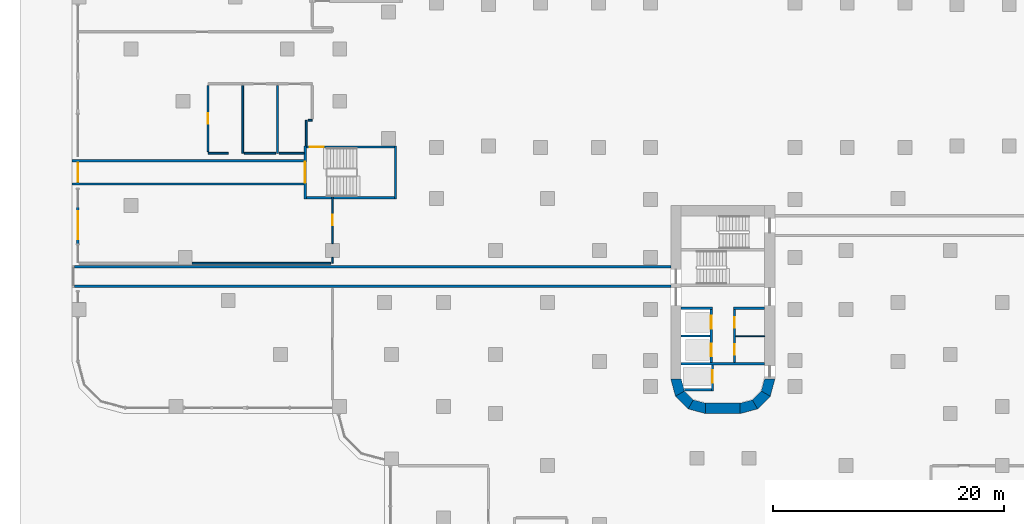
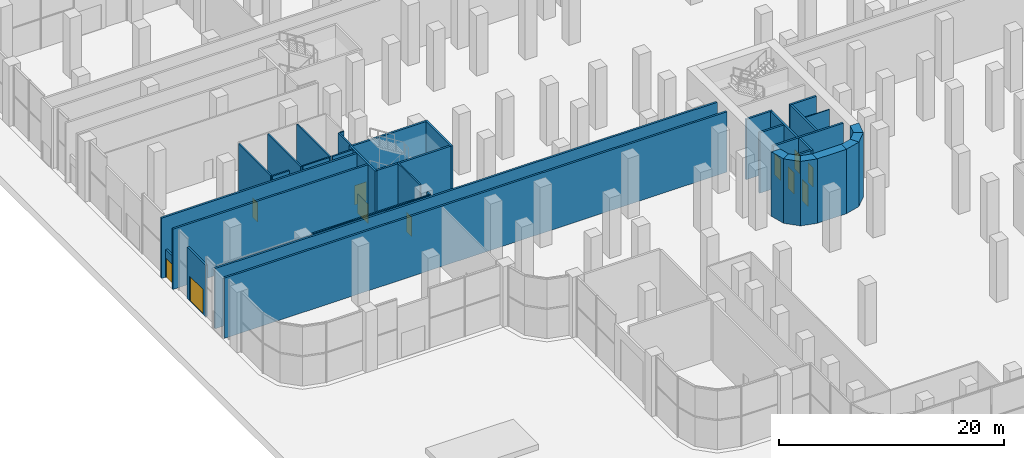
# One storey, part 21 of 34: 37 walls, 11 doors, 11 openings.
"""IFC4 building model written with IfcOpenShell, lengths in metres."""

from ifc_helpers import new_model, si_unit, direction, frame, frame_2d, origin, place, context, subcontext, project, spatial, polyline, rectangle, outline, extrude, material, layer, layer_set, type_object, element, fill, save


model = new_model("IFC4")

# Units and contexts
model_context = context("Model", 3, precision=1e-05, world=origin(), true_north=direction((0.0, 1.0)))
body_context = subcontext(model_context, "Body", "Model", "MODEL_VIEW")
ifc_project = project(units=[si_unit("LENGTHUNIT", "METRE"), si_unit("AREAUNIT", "SQUARE_METRE"), si_unit("VOLUMEUNIT", "CUBIC_METRE"), si_unit("PLANEANGLEUNIT", "RADIAN"), si_unit("MASSUNIT", "GRAM", prefix="KILO")], contexts=[model_context])

# Site, building, storey
site_placement = place(None, origin())
site = spatial("IfcSite", under=ifc_project, at=site_placement, CompositionType="ELEMENT")
building_placement = place(site_placement, origin())
building = spatial("IfcBuilding", under=site, at=building_placement, Name="Zarbagh Exchange Tower", CompositionType="ELEMENT")
storey_placement = place(building_placement, origin())
storey = spatial("IfcBuildingStorey", under=building, at=storey_placement, Name="L00", CompositionType="ELEMENT", Elevation=0.0)

# Walls
ifc_material_1 = material(Name="Plasterboard partition")
ifc_layer_1 = layer(ifc_material_1, 0.14990234375)
ifc_layer_set_1 = layer_set([ifc_layer_1], Name="Board partition 150")
wall_type_1 = type_object("IfcWallType", Name="Board partition 150", PredefinedType="PARTITIONING", material=ifc_layer_set_1)
wall_1_placement = place(storey_placement, frame((-36.0, -6.10009765625, 0.0), z_axis=(0.0, 0.0, 1.0), x_axis=(0.0, 1.0, 0.0)))
element("IfcWall", 1, at=wall_1_placement, inside=storey, type_object=wall_type_1, Name="WL-L00-W003", PredefinedType="PARTITIONING", context=body_context, shape_type="SweptSolid", body=[
    extrude(rectangle(XDim=2.2001953125, YDim=0.14990234375, at=frame_2d((1.10009765625, 0.0))), origin(), (0.0, 0.0, 1.0), 6.550048828125),
])
wall_2_placement = place(storey_placement, frame((-35.85009765625, -3.89990234375, 0.0), z_axis=(0.0, 0.0, 1.0), x_axis=(1.0, 0.0, 0.0)))
element("IfcWall", 2, at=wall_2_placement, inside=storey, type_object=wall_type_1, Name="WL-L00-W004", PredefinedType="PARTITIONING", context=body_context, shape_type="SweptSolid", body=[
    extrude(rectangle(XDim=0.35009765625, YDim=0.14990234375, at=frame_2d((0.175048828125, 0.0))), origin(), (0.0, 0.0, 1.0), 6.550048828125),
])
wall_3_placement = place(storey_placement, frame((-41.5, -0.89990234375, 0.0), z_axis=(0.0, 0.0, 1.0), x_axis=(0.0, -1.0, 0.0)))
element("IfcWall", 3, at=wall_3_placement, inside=storey, type_object=wall_type_1, Name="WL-L00-W040", PredefinedType="PARTITIONING", context=body_context, shape_type="SweptSolid", body=[
    extrude(rectangle(XDim=5.85009765625, YDim=0.14990234375, at=frame_2d((2.925048828125, 0.0))), origin(), (0.0, 0.0, 1.0), 6.550048828125),
])
wall_4_placement = place(storey_placement, frame((-42.75, -6.75, 0.0), z_axis=(0.0, 0.0, 1.0), x_axis=(-1.0, 0.0, 0.0)))
element("IfcWall", 4, at=wall_4_placement, inside=storey, type_object=wall_type_1, Name="WL-L00-W041", PredefinedType="PARTITIONING", context=body_context, shape_type="SweptSolid", body=[
    extrude(rectangle(XDim=1.75, YDim=0.14990234375, at=frame_2d((0.875, 0.0))), origin(), (0.0, 0.0, 1.0), 6.550048828125),
])

# Wall, opening, door
wall_5_placement = place(storey_placement, frame((-44.5, -0.89990234375, 0.0), z_axis=(0.0, 0.0, 1.0), x_axis=(0.0, -1.0, 0.0)))
wall_5 = element("IfcWall", 5, at=wall_5_placement, inside=storey, type_object=wall_type_1, Name="WL-L00-W042", PredefinedType="PARTITIONING", context=body_context, shape_type="SweptSolid", body=[
    extrude(rectangle(XDim=5.7001953125, YDim=0.14990234375, at=frame_2d((2.85009765625, 0.0))), origin(), (0.0, 0.0, 1.0), 6.550048828125),
])
opening_1_placement = place(wall_5_placement, frame((2.39990234375, 0.0, 0.0)))
opening_1 = element("IfcOpeningElement", 6, at=opening_1_placement, cuts=wall_5, Name="Opening D64", PredefinedType="OPENING", context=body_context, shape_type="SweptSolid", body=[
    extrude(rectangle(XDim=0.89990234375, YDim=2.10009765625, at=frame_2d((0.449951171875, 1.050048828125))), frame((0.0, 0.0849609375, 0.0), z_axis=(0.0, -1.0, 0.0), x_axis=(1.0, 0.0, 0.0)), (0.0, 0.0, 1.0), 0.169921875),
])
ifc_material_2 = material(Name="Timber door leaf", Category="wood")
door_type_1 = type_object("IfcDoorType", Name="Door single 900x2100", OperationType="SINGLE_SWING_LEFT", PredefinedType="DOOR", material=ifc_material_2)
door_1_placement = place(opening_1_placement, origin())
door_1 = element("IfcDoor", 7, at=door_1_placement, inside=storey, type_object=door_type_1, Name="D19", OperationType="SINGLE_SWING_LEFT", OverallHeight=2.10009765625, OverallWidth=0.89990234375, PredefinedType="DOOR", context=body_context, shape_type="SweptSolid", body=[
    extrude(rectangle(XDim=0.89990234375, YDim=2.10009765625, at=frame_2d((0.449951171875, 1.050048828125))), frame((0.0, 0.02490234375, 0.0), z_axis=(0.0, -1.0, 0.0), x_axis=(1.0, 0.0, 0.0)), (0.0, 0.0, 1.0), 0.050048828125),
])
fill(opening_1, door_1)

# Walls
wall_6_placement = place(storey_placement, frame((-38.5, -0.89990234375, 0.0), z_axis=(0.0, 0.0, 1.0), x_axis=(0.0, -1.0, 0.0)))
element("IfcWall", 8, at=wall_6_placement, inside=storey, type_object=wall_type_1, Name="WL-L00-W043", PredefinedType="PARTITIONING", context=body_context, shape_type="SweptSolid", body=[
    extrude(rectangle(XDim=5.85009765625, YDim=0.14990234375, at=frame_2d((2.925048828125, 0.0))), origin(), (0.0, 0.0, 1.0), 6.550048828125),
])
wall_7_placement = place(storey_placement, frame((-38.64990234375, -6.75, 0.0), z_axis=(0.0, 0.0, 1.0), x_axis=(-1.0, 0.0, 0.0)))
element("IfcWall", 9, at=wall_7_placement, inside=storey, type_object=wall_type_1, Name="WL-L00-W044", PredefinedType="PARTITIONING", context=body_context, shape_type="SweptSolid", body=[
    extrude(rectangle(XDim=2.7001953125, YDim=0.14990234375, at=frame_2d((1.35009765625, 0.0))), origin(), (0.0, 0.0, 1.0), 6.550048828125),
])
wall_8_placement = place(storey_placement, frame((-36.199951171875, -6.75, 0.0), z_axis=(0.0, 0.0, 1.0), x_axis=(-1.0, 0.0, 0.0)))
element("IfcWall", 10, at=wall_8_placement, inside=storey, type_object=wall_type_1, Name="WL-L00-W045", PredefinedType="PARTITIONING", context=body_context, shape_type="SweptSolid", body=[
    extrude(rectangle(XDim=2.150146484375, YDim=0.14990234375, at=frame_2d((1.0751953125, 0.0))), origin(), (0.0, 0.0, 1.0), 6.550048828125),
])

# Wall, opening, door
wall_9_placement = place(storey_placement, frame((-33.75, -14.550048828125, 0.0), z_axis=(0.0, 0.0, 1.0), x_axis=(0.0, 1.0, 0.0)))
wall_9 = element("IfcWall", 11, at=wall_9_placement, inside=storey, type_object=wall_type_1, Name="WL-L00-W048", PredefinedType="PARTITIONING", context=body_context, shape_type="SweptSolid", body=[
    extrude(rectangle(XDim=4.050048828125, YDim=0.14990234375, at=frame_2d((2.02490234375, 0.0))), origin(), (0.0, 0.0, 1.0), 6.550048828125),
])
opening_2_placement = place(wall_9_placement, frame((1.574951171875, 0.0, 0.0)))
opening_2 = element("IfcOpeningElement", 12, at=opening_2_placement, cuts=wall_9, Name="Opening D20", PredefinedType="OPENING", context=body_context, shape_type="SweptSolid", body=[
    extrude(rectangle(XDim=0.89990234375, YDim=2.10009765625, at=frame_2d((0.449951171875, 1.050048828125))), frame((0.0, 0.0849609375, 0.0), z_axis=(0.0, -1.0, 0.0), x_axis=(1.0, 0.0, 0.0)), (0.0, 0.0, 1.0), 0.169921875),
])
door_2_placement = place(opening_2_placement, origin())
door_2 = element("IfcDoor", 13, at=door_2_placement, inside=storey, type_object=door_type_1, Name="D20", OperationType="SINGLE_SWING_LEFT", OverallHeight=2.10009765625, OverallWidth=0.89990234375, PredefinedType="DOOR", context=body_context, shape_type="SweptSolid", body=[
    extrude(rectangle(XDim=0.89990234375, YDim=2.10009765625, at=frame_2d((0.449951171875, 1.050048828125))), frame((0.0, 0.02490234375, 0.0), z_axis=(0.0, -1.0, 0.0), x_axis=(1.0, 0.0, 0.0)), (0.0, 0.0, 1.0), 0.050048828125),
])
fill(opening_2, door_2)

# Walls
wall_10_placement = place(storey_placement, frame((-33.75, -15.75, 0.0), z_axis=(0.0, 0.0, 1.0), x_axis=(0.0, -1.0, 0.0)))
element("IfcWall", 14, at=wall_10_placement, inside=storey, type_object=wall_type_1, Name="WL-L00-W049", PredefinedType="PARTITIONING", context=body_context, shape_type="SweptSolid", body=[
    extrude(rectangle(XDim=0.5, YDim=0.14990234375, at=frame_2d((0.25, 0.0))), origin(), (0.0, 0.0, 1.0), 6.550048828125),
])
wall_11_placement = place(storey_placement, frame((-33.89990234375, -16.25, 0.0), z_axis=(0.0, 0.0, 1.0), x_axis=(-1.0, 0.0, 0.0)))
element("IfcWall", 15, at=wall_11_placement, inside=storey, type_object=wall_type_1, Name="WL-L00-W050", PredefinedType="PARTITIONING", context=body_context, shape_type="SweptSolid", body=[
    extrude(rectangle(XDim=11.97021484375, YDim=0.14990234375, at=frame_2d((5.985107421875, 0.0))), origin(), (0.0, 0.0, 1.0), 6.550048828125),
])
ifc_material_3 = material(Name="Dense blockwork", Category="masonry")
ifc_layer_2 = layer(ifc_material_3, 0.10009765625)
ifc_layer_set_2 = layer_set([ifc_layer_2], Name="Core partition 100 mm blockwork")
wall_type_2 = type_object("IfcWallType", Name="Core partition 100 mm blockwork", PredefinedType="PARTITIONING", material=ifc_layer_set_2)
wall_12_placement = place(storey_placement, frame((3.60009765625, -22.550048828125, 0.0), z_axis=(0.0, 0.0, 1.0), x_axis=(-1.0, 0.0, 0.0)))
element("IfcWall", 16, at=wall_12_placement, inside=storey, type_object=wall_type_2, Name="South core partition wall CUT-W-580", PredefinedType="PARTITIONING", context=body_context, shape_type="SweptSolid", body=[
    extrude(rectangle(XDim=2.5, YDim=0.10009765625, at=frame_2d((1.25, 0.0))), origin(), (0.0, 0.0, 1.0), 6.550048828125),
])
ifc_material_4 = material(Name="Concrete C60/75", Category="concrete")
ifc_layer_3 = layer(ifc_material_4, 0.89990234375)
ifc_layer_set_3 = layer_set([ifc_layer_3], Name="RC core corner wall 900 C60/75")
wall_type_3 = type_object("IfcWallType", Name="RC core corner wall 900 C60/75", PredefinedType="SHEAR", material=ifc_layer_set_3)
wall_13_placement = place(storey_placement, origin())
element("IfcWall", 17, at=wall_13_placement, inside=storey, type_object=wall_type_3, Name="CW2 core S corner W", PredefinedType="SHEAR", context=body_context, shape_type="SweptSolid", body=[
    extrude(outline(polyline([(-4.5, -26.25), (-4.09814453125, -27.75), (-3.318603515625, -27.300048828125), (-3.60009765625, -26.25), (-4.5, -26.25)])), origin(), (0.0, 0.0, 1.0), 7.0),
])
wall_14_placement = place(storey_placement, origin())
element("IfcWall", 18, at=wall_14_placement, inside=storey, type_object=wall_type_3, Name="CW2 core S corner W", PredefinedType="SHEAR", context=body_context, shape_type="SweptSolid", body=[
    extrude(outline(polyline([(-4.09814453125, -27.75), (-3.0, -28.84814453125), (-2.550048828125, -28.068603515625), (-3.318603515625, -27.300048828125), (-4.09814453125, -27.75)])), origin(), (0.0, 0.0, 1.0), 7.0),
])
wall_15_placement = place(storey_placement, origin())
element("IfcWall", 19, at=wall_15_placement, inside=storey, type_object=wall_type_3, Name="CW2 core S corner W", PredefinedType="SHEAR", context=body_context, shape_type="SweptSolid", body=[
    extrude(outline(polyline([(-3.0, -28.84814453125), (-1.5, -29.25), (-1.5, -28.35009765625), (-2.550048828125, -28.068603515625), (-3.0, -28.84814453125)])), origin(), (0.0, 0.0, 1.0), 7.0),
])
wall_16_placement = place(storey_placement, origin())
element("IfcWall", 20, at=wall_16_placement, inside=storey, type_object=wall_type_3, Name="CW2 core S corner E", PredefinedType="SHEAR", context=body_context, shape_type="SweptSolid", body=[
    extrude(outline(polyline([(4.5, -26.25), (4.09814453125, -27.75), (3.318603515625, -27.300048828125), (3.60009765625, -26.25), (4.5, -26.25)])), origin(), (0.0, 0.0, 1.0), 7.0),
])
wall_17_placement = place(storey_placement, origin())
element("IfcWall", 21, at=wall_17_placement, inside=storey, type_object=wall_type_3, Name="CW2 core S corner E", PredefinedType="SHEAR", context=body_context, shape_type="SweptSolid", body=[
    extrude(outline(polyline([(4.09814453125, -27.75), (3.0, -28.84814453125), (2.550048828125, -28.068603515625), (3.318603515625, -27.300048828125), (4.09814453125, -27.75)])), origin(), (0.0, 0.0, 1.0), 7.0),
])
wall_18_placement = place(storey_placement, origin())
element("IfcWall", 22, at=wall_18_placement, inside=storey, type_object=wall_type_3, Name="CW2 core S corner E", PredefinedType="SHEAR", context=body_context, shape_type="SweptSolid", body=[
    extrude(outline(polyline([(3.0, -28.84814453125), (1.5, -29.25), (1.5, -28.35009765625), (2.550048828125, -28.068603515625), (3.0, -28.84814453125)])), origin(), (0.0, 0.0, 1.0), 7.0),
])
ifc_layer_4 = layer(ifc_material_4, 0.89990234375)
ifc_layer_set_4 = layer_set([ifc_layer_4], Name="RC core wall 900 C60/75")
wall_type_4 = type_object("IfcWallType", Name="RC core wall 900 C60/75", PredefinedType="SHEAR", material=ifc_layer_set_4)
wall_19_placement = place(storey_placement, frame((-1.5, -28.800048828125, 0.0), z_axis=(0.0, 0.0, 1.0), x_axis=(1.0, 0.0, 0.0)))
element("IfcWall", 23, at=wall_19_placement, inside=storey, type_object=wall_type_4, Name="CW1 core S outer end", PredefinedType="SHEAR", context=body_context, shape_type="SweptSolid", body=[
    extrude(rectangle(XDim=3.0, YDim=0.89990234375, at=frame_2d((1.5, 0.0))), origin(), (0.0, 0.0, 1.0), 7.0),
])
ifc_layer_5 = layer(ifc_material_3, 0.199951171875)
ifc_layer_set_5 = layer_set([ifc_layer_5], Name="Shaft wall 200 mm blockwork")
wall_type_5 = type_object("IfcWallType", Name="Shaft wall 200 mm blockwork", PredefinedType="PARTITIONING", material=ifc_layer_set_5)
wall_20_placement = place(storey_placement, frame((3.60009765625, -20.14990234375, 0.0), z_axis=(0.0, 0.0, 1.0), x_axis=(-1.0, 0.0, 0.0)))
element("IfcWall", 24, at=wall_20_placement, inside=storey, type_object=wall_type_5, Name="South core shaft wall AB-W", PredefinedType="PARTITIONING", context=body_context, shape_type="SweptSolid", body=[
    extrude(rectangle(XDim=2.7001953125, YDim=0.199951171875, at=frame_2d((1.35009765625, 0.0))), origin(), (0.0, 0.0, 1.0), 6.550048828125),
])

# Wall, openings, doors
wall_21_placement = place(storey_placement, frame((1.0, -24.85009765625, 0.0), z_axis=(0.0, 0.0, 1.0), x_axis=(0.0, 1.0, 0.0)))
wall_21 = element("IfcWall", 25, at=wall_21_placement, inside=storey, type_object=wall_type_5, Name="South core shaft wall LW-W", PredefinedType="PARTITIONING", context=body_context, shape_type="SweptSolid", body=[
    extrude(rectangle(XDim=4.60009765625, YDim=0.199951171875, at=frame_2d((2.300048828125, 0.0))), origin(), (0.0, 0.0, 1.0), 6.550048828125),
])
opening_3_placement = place(wall_21_placement, frame((0.675048828125, 0.0, 0.0)))
opening_3 = element("IfcOpeningElement", 26, at=opening_3_placement, cuts=wall_21, Name="Opening CD3-900", PredefinedType="OPENING", context=body_context, shape_type="SweptSolid", body=[
    extrude(rectangle(XDim=0.89990234375, YDim=2.10009765625, at=frame_2d((0.449951171875, 1.050048828125))), frame((0.0, 0.10986328125, 0.0), z_axis=(0.0, -1.0, 0.0), x_axis=(1.0, 0.0, 0.0)), (0.0, 0.0, 1.0), 0.219970703125),
])
opening_4_placement = place(wall_21_placement, frame((3.02490234375, 0.0, 0.0)))
opening_4 = element("IfcOpeningElement", 27, at=opening_4_placement, cuts=wall_21, Name="Opening CD3-900", PredefinedType="OPENING", context=body_context, shape_type="SweptSolid", body=[
    extrude(rectangle(XDim=0.89990234375, YDim=2.10009765625, at=frame_2d((0.449951171875, 1.050048828125))), frame((0.0, 0.10986328125, 0.0), z_axis=(0.0, -1.0, 0.0), x_axis=(1.0, 0.0, 0.0)), (0.0, 0.0, 1.0), 0.219970703125),
])
ifc_material_5 = material(Name="Steel", Category="steel")
door_type_2 = type_object("IfcDoorType", Name="Core room door 900 x 2100", OperationType="NOTDEFINED", PredefinedType="DOOR", material=ifc_material_5)
door_3_placement = place(opening_3_placement, origin())
door_3 = element("IfcDoor", 28, at=door_3_placement, inside=storey, type_object=door_type_2, Name="South core Staff WC door RD-W-0", OperationType="SINGLE_SWING_RIGHT", OverallHeight=2.10009765625, OverallWidth=0.89990234375, PredefinedType="DOOR", context=body_context, shape_type="SweptSolid", body=[
    extrude(rectangle(XDim=0.89990234375, YDim=2.10009765625, at=frame_2d((0.449951171875, 1.050048828125))), frame((0.0, 0.02490234375, 0.0), z_axis=(0.0, -1.0, 0.0), x_axis=(1.0, 0.0, 0.0)), (0.0, 0.0, 1.0), 0.050048828125),
])
fill(opening_3, door_3)
door_4_placement = place(opening_4_placement, origin())
door_4 = element("IfcDoor", 29, at=door_4_placement, inside=storey, type_object=door_type_2, Name="South core Accessible WC door RD-W-1", OperationType="SINGLE_SWING_RIGHT", OverallHeight=2.10009765625, OverallWidth=0.89990234375, PredefinedType="DOOR", context=body_context, shape_type="SweptSolid", body=[
    extrude(rectangle(XDim=0.89990234375, YDim=2.10009765625, at=frame_2d((0.449951171875, 1.050048828125))), frame((0.0, 0.02490234375, 0.0), z_axis=(0.0, -1.0, 0.0), x_axis=(1.0, 0.0, 0.0)), (0.0, 0.0, 1.0), 0.050048828125),
])
fill(opening_4, door_4)

# Wall
wall_22_placement = place(storey_placement, frame((-0.89990234375, -20.14990234375, 0.0), z_axis=(0.0, 0.0, 1.0), x_axis=(-1.0, 0.0, 0.0)))
element("IfcWall", 30, at=wall_22_placement, inside=storey, type_object=wall_type_5, Name="South core shaft wall AB-E", PredefinedType="PARTITIONING", context=body_context, shape_type="SweptSolid", body=[
    extrude(rectangle(XDim=2.7001953125, YDim=0.199951171875, at=frame_2d((1.35009765625, 0.0))), origin(), (0.0, 0.0, 1.0), 6.550048828125),
])

# Wall, openings, doors
wall_23_placement = place(storey_placement, frame((-1.0, -24.85009765625, 0.0), z_axis=(0.0, 0.0, 1.0), x_axis=(0.0, 1.0, 0.0)))
wall_23 = element("IfcWall", 31, at=wall_23_placement, inside=storey, type_object=wall_type_5, Name="South core shaft wall LW-E", PredefinedType="PARTITIONING", context=body_context, shape_type="SweptSolid", body=[
    extrude(rectangle(XDim=4.60009765625, YDim=0.199951171875, at=frame_2d((2.300048828125, 0.0))), origin(), (0.0, 0.0, 1.0), 6.550048828125),
])
opening_5_placement = place(wall_23_placement, frame((0.550048828125, 0.0, 0.0)))
opening_5 = element("IfcOpeningElement", 32, at=opening_5_placement, cuts=wall_23, Name="Opening LD-1100", PredefinedType="OPENING", context=body_context, shape_type="SweptSolid", body=[
    extrude(rectangle(XDim=1.10009765625, YDim=2.300048828125, at=frame_2d((0.550048828125, 1.14990234375))), frame((0.0, 0.10986328125, 0.0), z_axis=(0.0, -1.0, 0.0), x_axis=(1.0, 0.0, 0.0)), (0.0, 0.0, 1.0), 0.219970703125),
])
opening_6_placement = place(wall_23_placement, frame((2.949951171875, 0.0, 0.0)))
opening_6 = element("IfcOpeningElement", 33, at=opening_6_placement, cuts=wall_23, Name="Opening LD-1100", PredefinedType="OPENING", context=body_context, shape_type="SweptSolid", body=[
    extrude(rectangle(XDim=1.10009765625, YDim=2.300048828125, at=frame_2d((0.550048828125, 1.14990234375))), frame((0.0, 0.10986328125, 0.0), z_axis=(0.0, -1.0, 0.0), x_axis=(1.0, 0.0, 0.0)), (0.0, 0.0, 1.0), 0.219970703125),
])
ifc_material_6 = material(Name="Stainless steel", Category="steel")
door_type_3 = type_object("IfcDoorType", Name="Lift landing door 1100 x 2300", OperationType="NOTDEFINED", PredefinedType="DOOR", material=ifc_material_6)
door_5_placement = place(opening_5_placement, origin())
door_5 = element("IfcDoor", 34, at=door_5_placement, inside=storey, type_object=door_type_3, Name="South core lift landing door LD-SH-S1", OperationType="DOUBLE_DOOR_SLIDING", OverallHeight=2.300048828125, OverallWidth=1.10009765625, PredefinedType="DOOR", context=body_context, shape_type="SweptSolid", body=[
    extrude(rectangle(XDim=1.10009765625, YDim=2.300048828125, at=frame_2d((0.550048828125, 1.14990234375))), frame((0.0, 0.02490234375, 0.0), z_axis=(0.0, -1.0, 0.0), x_axis=(1.0, 0.0, 0.0)), (0.0, 0.0, 1.0), 0.050048828125),
])
fill(opening_5, door_5)
door_6_placement = place(opening_6_placement, origin())
door_6 = element("IfcDoor", 35, at=door_6_placement, inside=storey, type_object=door_type_3, Name="South core lift landing door LD-SH-S2", OperationType="DOUBLE_DOOR_SLIDING", OverallHeight=2.300048828125, OverallWidth=1.10009765625, PredefinedType="DOOR", context=body_context, shape_type="SweptSolid", body=[
    extrude(rectangle(XDim=1.10009765625, YDim=2.300048828125, at=frame_2d((0.550048828125, 1.14990234375))), frame((0.0, 0.02490234375, 0.0), z_axis=(0.0, -1.0, 0.0), x_axis=(1.0, 0.0, 0.0)), (0.0, 0.0, 1.0), 0.050048828125),
])
fill(opening_6, door_6)

# Walls
wall_24_placement = place(storey_placement, frame((-1.10009765625, -22.550048828125, 0.0), z_axis=(0.0, 0.0, 1.0), x_axis=(-1.0, 0.0, 0.0)))
element("IfcWall", 36, at=wall_24_placement, inside=storey, type_object=wall_type_5, Name="South core shaft wall TR-E", PredefinedType="PARTITIONING", context=body_context, shape_type="SweptSolid", body=[
    extrude(rectangle(XDim=2.5, YDim=0.199951171875, at=frame_2d((1.25, 0.0))), origin(), (0.0, 0.0, 1.0), 6.550048828125),
])
for number, where, z_axis, x_axis, name in (
    (37, (-4.5, -18.25, 0.0), (0.0, 0.0, 1.0), (-1.0, 0.0, 0.0), "Exit passage ST3 wall A"),
    (38, (-4.5, -16.550048828125, 0.0), (0.0, 0.0, 1.0), (-1.0, 0.0, 0.0), "Exit passage ST3 wall B"),
):
    element("IfcWall", number, at=place(storey_placement, frame(where, z_axis=z_axis, x_axis=x_axis)), inside=storey, type_object=wall_type_5, Name=name, PredefinedType="PARTITIONING", context=body_context, shape_type="SweptSolid", body=[
        extrude(rectangle(XDim=51.550048828125, YDim=0.199951171875, at=frame_2d((25.77490234375, 0.0))), origin(), (0.0, 0.0, 1.0), 6.550048828125),
    ])
for number, where, z_axis, x_axis, name in (
    (39, (-56.25, -9.39990234375, 0.0), (0.0, 0.0, 1.0), (1.0, 0.0, 0.0), "Exit passage PS4 wall A"),
    (40, (-56.25, -7.39990234375, 0.0), (0.0, 0.0, 1.0), (1.0, 0.0, 0.0), "Exit passage PS4 wall B"),
):
    element("IfcWall", number, at=place(storey_placement, frame(where, z_axis=z_axis, x_axis=x_axis)), inside=storey, type_object=wall_type_5, Name=name, PredefinedType="PARTITIONING", context=body_context, shape_type="SweptSolid", body=[
        extrude(rectangle(XDim=20.25, YDim=0.199951171875, at=frame_2d((10.125, 0.0))), origin(), (0.0, 0.0, 1.0), 6.550048828125),
    ])
ifc_material_7 = material(Name="Concrete C40/50", Category="concrete")
ifc_layer_6 = layer(ifc_material_7, 0.199951171875)
ifc_layer_set_6 = layer_set([ifc_layer_6], Name="Stair enclosure wall 200 mm RC C40/50")
wall_type_6 = type_object("IfcWallType", Name="Stair enclosure wall 200 mm RC C40/50", PredefinedType="SHEAR", material=ifc_layer_set_6)
wall_25_placement = place(storey_placement, frame((3.60009765625, -24.949951171875, 0.0), z_axis=(0.0, 0.0, 1.0), x_axis=(-1.0, 0.0, 0.0)))
element("IfcWall", 41, at=wall_25_placement, inside=storey, type_object=wall_type_6, Name="South core lift shaft wall FFA", PredefinedType="SHEAR", context=body_context, shape_type="SweptSolid", body=[
    extrude(rectangle(XDim=7.2001953125, YDim=0.199951171875, at=frame_2d((3.60009765625, 0.0))), origin(), (0.0, 0.0, 1.0), 6.550048828125),
])

# Wall, opening, door
wall_26_placement = place(storey_placement, frame((-0.89990234375, -27.300048828125, 0.0), z_axis=(0.0, 0.0, 1.0), x_axis=(0.0, 1.0, 0.0)))
wall_26 = element("IfcWall", 42, at=wall_26_placement, inside=storey, type_object=wall_type_6, Name="South core lift shaft wall FFL", PredefinedType="SHEAR", context=body_context, shape_type="SweptSolid", body=[
    extrude(rectangle(XDim=2.25, YDim=0.199951171875, at=frame_2d((1.125, 0.0))), origin(), (0.0, 0.0, 1.0), 6.550048828125),
])
opening_7_placement = place(wall_26_placement, frame((0.699951171875, 0.0, 0.0)))
opening_7 = element("IfcOpeningElement", 43, at=opening_7_placement, cuts=wall_26, Name="Opening LD-1100", PredefinedType="OPENING", context=body_context, shape_type="SweptSolid", body=[
    extrude(rectangle(XDim=1.10009765625, YDim=2.300048828125, at=frame_2d((0.550048828125, 1.14990234375))), frame((0.0, 0.10986328125, 0.0), z_axis=(0.0, -1.0, 0.0), x_axis=(1.0, 0.0, 0.0)), (0.0, 0.0, 1.0), 0.219970703125),
])
door_7_placement = place(opening_7_placement, origin())
door_7 = element("IfcDoor", 44, at=door_7_placement, inside=storey, type_object=door_type_3, Name="South core lift landing door LD-F", OperationType="DOUBLE_DOOR_SLIDING", OverallHeight=2.300048828125, OverallWidth=1.10009765625, PredefinedType="DOOR", context=body_context, shape_type="SweptSolid", body=[
    extrude(rectangle(XDim=1.10009765625, YDim=2.300048828125, at=frame_2d((0.550048828125, 1.14990234375))), frame((0.0, 0.02490234375, 0.0), z_axis=(0.0, -1.0, 0.0), x_axis=(1.0, 0.0, 0.0)), (0.0, 0.0, 1.0), 0.050048828125),
])
fill(opening_7, door_7)

# Wall
wall_27_placement = place(storey_placement, origin())
element("IfcWall", 45, at=wall_27_placement, inside=storey, type_object=wall_type_6, Name="South core lift shaft wall FFX", PredefinedType="SHEAR", context=body_context, shape_type="SweptSolid", body=[
    extrude(outline(polyline([(-1.0, -27.10009765625), (-3.340576171875, -27.10009765625), (-3.291259765625, -27.2841796875), (-3.275390625, -27.300048828125), (-1.0, -27.300048828125), (-1.0, -27.10009765625)])), origin(), (0.0, 0.0, 1.0), 6.550048828125),
])

# Wall, opening, door
wall_28_placement = place(storey_placement, frame((-36.10009765625, -10.699951171875, 0.0), z_axis=(0.0, 0.0, 1.0), x_axis=(0.0, 1.0, 0.0)))
wall_28 = element("IfcWall", 46, at=wall_28_placement, inside=storey, type_object=wall_type_6, Name="Exit stair PS4 enclosure wall W", PredefinedType="SHEAR", context=body_context, shape_type="SweptSolid", body=[
    extrude(rectangle(XDim=4.599853515625, YDim=0.199951171875, at=frame_2d((2.2998046875, 0.0))), origin(), (0.0, 0.0, 1.0), 6.550048828125),
])
opening_8_placement = place(wall_28_placement, frame((1.39990234375, 0.0, 0.0)))
opening_8 = element("IfcOpeningElement", 47, at=opening_8_placement, cuts=wall_28, Name="Opening XD2-1800", PredefinedType="OPENING", context=body_context, shape_type="SweptSolid", body=[
    extrude(rectangle(XDim=1.800048828125, YDim=2.10009765625, at=frame_2d((0.89990234375, 1.050048828125))), frame((0.0, 0.10986328125, 0.0), z_axis=(0.0, -1.0, 0.0), x_axis=(1.0, 0.0, 0.0)), (0.0, 0.0, 1.0), 0.219970703125),
])
door_type_4 = type_object("IfcDoorType", Name="Exit stair discharge door 1800 x 2100", OperationType="NOTDEFINED", PredefinedType="DOOR", material=ifc_material_5)
door_8_placement = place(opening_8_placement, origin())
door_8 = element("IfcDoor", 48, at=door_8_placement, inside=storey, type_object=door_type_4, Name="Exit stair PS4 discharge door", OperationType="DOUBLE_DOOR_SINGLE_SWING", OverallHeight=2.10009765625, OverallWidth=1.800048828125, PredefinedType="DOOR", context=body_context, shape_type="SweptSolid", body=[
    extrude(rectangle(XDim=1.800048828125, YDim=2.10009765625, at=frame_2d((0.89990234375, 1.050048828125))), frame((0.0, 0.02490234375, 0.0), z_axis=(0.0, -1.0, 0.0), x_axis=(1.0, 0.0, 0.0)), (0.0, 0.0, 1.0), 0.050048828125),
])
fill(opening_8, door_8)

# Walls
wall_29_placement = place(storey_placement, frame((-28.300048828125, -10.699951171875, 0.0), z_axis=(0.0, 0.0, 1.0), x_axis=(0.0, 1.0, 0.0)))
element("IfcWall", 49, at=wall_29_placement, inside=storey, type_object=wall_type_6, Name="Exit stair PS4 enclosure wall E", PredefinedType="SHEAR", context=body_context, shape_type="SweptSolid", body=[
    extrude(rectangle(XDim=4.599853515625, YDim=0.199951171875, at=frame_2d((2.2998046875, 0.0))), origin(), (0.0, 0.0, 1.0), 6.550048828125),
])
wall_30_placement = place(storey_placement, frame((-36.0, -10.60009765625, 0.0), z_axis=(0.0, 0.0, 1.0), x_axis=(1.0, 0.0, 0.0)))
element("IfcWall", 50, at=wall_30_placement, inside=storey, type_object=wall_type_6, Name="Exit stair PS4 enclosure wall S", PredefinedType="SHEAR", context=body_context, shape_type="SweptSolid", body=[
    extrude(rectangle(XDim=7.60009765625, YDim=0.199951171875, at=frame_2d((3.800048828125, 0.0))), origin(), (0.0, 0.0, 1.0), 6.550048828125),
])

# Wall, opening, door
wall_31_placement = place(storey_placement, frame((-36.0, -6.199951171875, 0.0), z_axis=(0.0, 0.0, 1.0), x_axis=(1.0, 0.0, 0.0)))
wall_31 = element("IfcWall", 51, at=wall_31_placement, inside=storey, type_object=wall_type_6, Name="Exit stair PS4 enclosure wall N", PredefinedType="SHEAR", context=body_context, shape_type="SweptSolid", body=[
    extrude(rectangle(XDim=7.60009765625, YDim=0.199951171875, at=frame_2d((3.800048828125, 0.0))), origin(), (0.0, 0.0, 1.0), 6.550048828125),
])
opening_9_placement = place(wall_31_placement, frame((0.300048828125, 0.0, 0.0)))
opening_9 = element("IfcOpeningElement", 52, at=opening_9_placement, cuts=wall_31, Name="Opening SD1-1200", PredefinedType="OPENING", context=body_context, shape_type="SweptSolid", body=[
    extrude(rectangle(XDim=1.199951171875, YDim=2.10009765625, at=frame_2d((0.60009765625, 1.050048828125))), frame((0.0, 0.10986328125, 0.0), z_axis=(0.0, -1.0, 0.0), x_axis=(1.0, 0.0, 0.0)), (0.0, 0.0, 1.0), 0.219970703125),
])
door_type_5 = type_object("IfcDoorType", Name="Exit stair door 1200 x 2100", OperationType="NOTDEFINED", PredefinedType="DOOR", material=ifc_material_5)
door_9_placement = place(opening_9_placement, origin())
door_9 = element("IfcDoor", 53, at=door_9_placement, inside=storey, type_object=door_type_5, Name="Exit stair PS4 entry door", OperationType="SINGLE_SWING_RIGHT", OverallHeight=2.10009765625, OverallWidth=1.199951171875, PredefinedType="DOOR", context=body_context, shape_type="SweptSolid", body=[
    extrude(rectangle(XDim=1.199951171875, YDim=2.10009765625, at=frame_2d((0.60009765625, 1.050048828125))), frame((0.0, 0.02490234375, 0.0), z_axis=(0.0, -1.0, 0.0), x_axis=(1.0, 0.0, 0.0)), (0.0, 0.0, 1.0), 0.050048828125),
])
fill(opening_9, door_9)

ifc_material_8 = material(Name="Precast concrete C50/60", Category="concrete")
ifc_layer_7 = layer(ifc_material_8, 0.199951171875)
ifc_layer_set_7 = layer_set([ifc_layer_7], Name="Terrace door wall, precast concrete C50/60")
wall_type_7 = type_object("IfcWallType", Name="Terrace door wall, precast concrete C50/60", PredefinedType="SOLIDWALL", material=ifc_layer_set_7)
wall_32_placement = place(storey_placement, frame((-55.75, -14.614990234375, 0.0), z_axis=(0.0, 0.0, 1.0), x_axis=(0.0, 1.0, 0.0)))
wall_32 = element("IfcWall", 54, at=wall_32_placement, inside=storey, type_object=wall_type_7, Name="EW01 exterior wall", PredefinedType="SOLIDWALL", context=body_context, shape_type="SweptSolid", body=[
    extrude(rectangle(XDim=3.280029296875, YDim=0.199951171875, at=frame_2d((1.64013671875, 0.0))), origin(), (0.0, 0.0, 1.0), 5.60009765625),
])
opening_10_placement = place(wall_32_placement, frame((0.43994140625, 0.0, 0.0)))
opening_10 = element("IfcOpeningElement", 55, at=opening_10_placement, cuts=wall_32, Name="Opening ED01", PredefinedType="OPENING", context=body_context, shape_type="SweptSolid", body=[
    extrude(rectangle(XDim=2.39990234375, YDim=2.699951171875, at=frame_2d((1.199951171875, 1.35009765625))), frame((0.0, 0.10986328125, 0.0), z_axis=(0.0, -1.0, 0.0), x_axis=(1.0, 0.0, 0.0)), (0.0, 0.0, 1.0), 0.219970703125),
])
ifc_material_9 = material(Name="Anodised aluminium and glass", Category="aluminium")
door_type_6 = type_object("IfcDoorType", Name="Entrance door, double leaf, glazed aluminium", OperationType="DOUBLE_DOOR_DOUBLE_SWING", PredefinedType="DOOR", material=ifc_material_9)
door_10_placement = place(opening_10_placement, origin())
door_10 = element("IfcDoor", 56, at=door_10_placement, inside=storey, type_object=door_type_6, Name="ED01 exterior door", OperationType="SINGLE_SWING_LEFT", OverallHeight=2.699951171875, OverallWidth=2.39990234375, PredefinedType="DOOR", context=body_context, shape_type="SweptSolid", body=[
    extrude(rectangle(XDim=2.39990234375, YDim=2.699951171875, at=frame_2d((1.199951171875, 1.35009765625))), frame((0.0, 0.02490234375, 0.0), z_axis=(0.0, -1.0, 0.0), x_axis=(1.0, 0.0, 0.0)), (0.0, 0.0, 1.0), 0.050048828125),
])
fill(opening_10, door_10)

wall_33_placement = place(storey_placement, frame((-55.75, -9.300048828125, 0.0), z_axis=(0.0, 0.0, 1.0), x_axis=(0.0, 1.0, 0.0)))
wall_33 = element("IfcWall", 57, at=wall_33_placement, inside=storey, type_object=wall_type_7, Name="XW02 stair discharge wall", PredefinedType="SOLIDWALL", context=body_context, shape_type="SweptSolid", body=[
    extrude(rectangle(XDim=1.800048828125, YDim=0.199951171875, at=frame_2d((0.89990234375, 0.0))), origin(), (0.0, 0.0, 1.0), 3.0),
])
opening_11_placement = place(wall_33_placement, frame((0.050048828125, 0.0, 0.0)))
opening_11 = element("IfcOpeningElement", 58, at=opening_11_placement, cuts=wall_33, Name="Opening XD02", PredefinedType="OPENING", context=body_context, shape_type="SweptSolid", body=[
    extrude(rectangle(XDim=1.699951171875, YDim=2.10009765625, at=frame_2d((0.85009765625, 1.050048828125))), frame((0.0, 0.10986328125, 0.0), z_axis=(0.0, -1.0, 0.0), x_axis=(1.0, 0.0, 0.0)), (0.0, 0.0, 1.0), 0.219970703125),
])
ifc_material_10 = material(Name="Galvanised steel", Category="steel")
door_type_7 = type_object("IfcDoorType", Name="Stair discharge door, double leaf, steel", OperationType="DOUBLE_DOOR_DOUBLE_SWING", PredefinedType="DOOR", material=ifc_material_10)
door_11_placement = place(opening_11_placement, origin())
door_11 = element("IfcDoor", 59, at=door_11_placement, inside=storey, type_object=door_type_7, Name="XD02 stair discharge door", OperationType="SINGLE_SWING_LEFT", OverallHeight=2.10009765625, OverallWidth=1.699951171875, PredefinedType="DOOR", context=body_context, shape_type="SweptSolid", body=[
    extrude(rectangle(XDim=1.699951171875, YDim=2.10009765625, at=frame_2d((0.85009765625, 1.050048828125))), frame((0.0, 0.02490234375, 0.0), z_axis=(0.0, -1.0, 0.0), x_axis=(1.0, 0.0, 0.0)), (0.0, 0.0, 1.0), 0.050048828125),
])
fill(opening_11, door_11)

save(model, "model.ifc")
